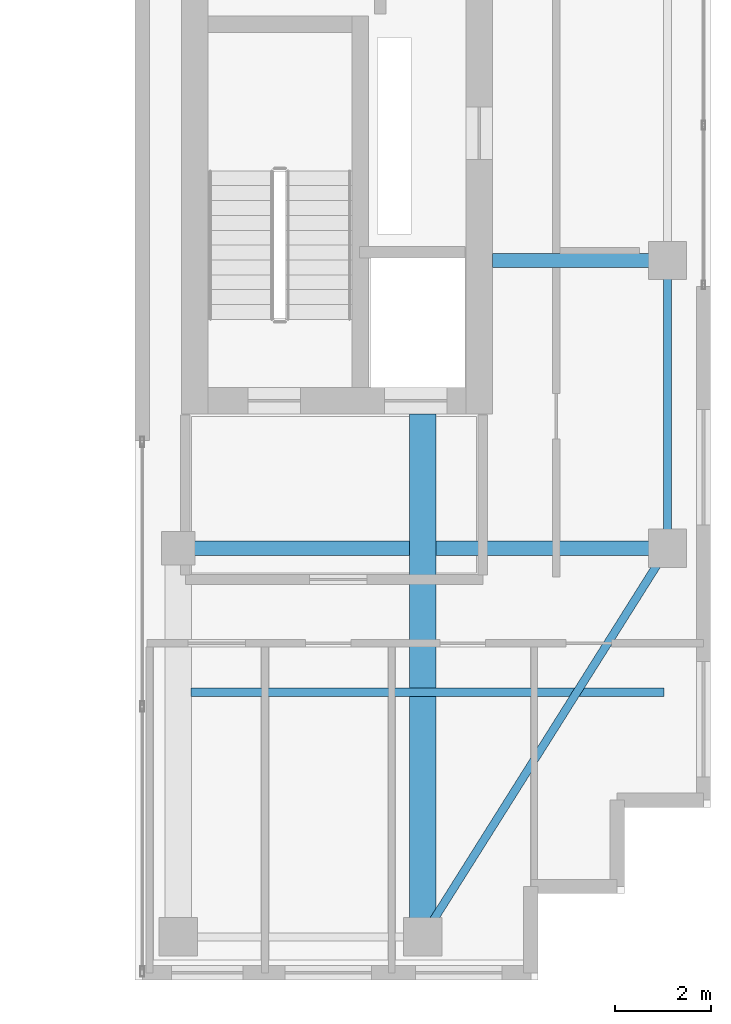
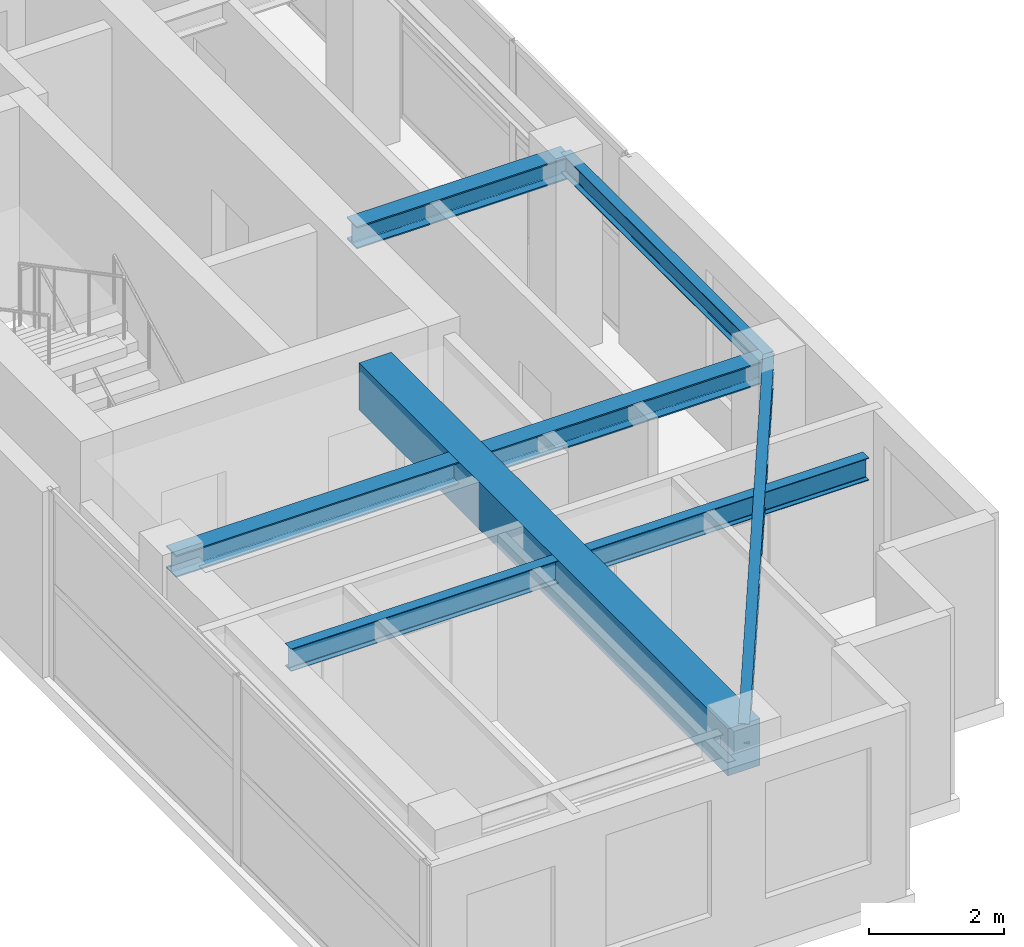
# One storey, part 11 of 23: 6 beams.
"""IFC4 building model written with IfcOpenShell, lengths in metres."""

import ifcopenshell
import ifcopenshell.guid

model = None  # the IFC model being written
_history = None  # IfcOwnerHistory: only IFC2X3 demands one
_inside = {}  # id of a spatial element -> (the spatial element, [elements in it])
_under = {}  # id of a project, library or spatial element -> (it, [spatial elements below it])
_declared = {}  # id of a project -> (the project, [libraries it declares])
_typed = {}  # id of a type object -> (the type object, [elements of that type])
_made_of = {}  # id of a material, layer set ... -> (it, [elements and type objects made of it])


def new_model(schema):
    """Start an empty IFC model of exactly this schema.

    Asked for "IFC4X3", IfcOpenShell would pick the latest addendum, in which some entities
    have other attributes; the version numbers below select the first issue.
    IFC2X3 requires an IfcOwnerHistory on every rooted entity: one is made here for all.
    """
    global model, _history
    if schema == "IFC4X3":
        model = ifcopenshell.file(schema_version=(4, 3, 0, 0))
    else:
        model = ifcopenshell.file(schema=schema)
    _inside.clear()
    _under.clear()
    _declared.clear()
    _typed.clear()
    _made_of.clear()
    _history = None
    if model.schema == "IFC2X3":
        org = make("IfcOrganization", Name="unknown")
        user = make(
            "IfcPersonAndOrganization",
            ThePerson=make("IfcPerson", FamilyName="unknown"),
            TheOrganization=org,
        )
        app = make(
            "IfcApplication",
            ApplicationDeveloper=org,
            Version="unknown",
            ApplicationFullName="unknown",
            ApplicationIdentifier="unknown",
        )
        _history = make(
            "IfcOwnerHistory",
            OwningUser=user,
            OwningApplication=app,
            ChangeAction="ADDED",
            CreationDate=0,
        )
    return model


def make(cls, **values):
    """One entity of the class cls with the attributes given. An attribute that is None is left unset."""
    return model.create_entity(
        cls, **{name: value for name, value in values.items() if value is not None}
    )


def rooted(cls, **values):
    """An entity with a GlobalId (a new one), such as an element, a storey or a relation."""
    return make(cls, GlobalId=ifcopenshell.guid.new(), OwnerHistory=_history, **values)


def si_unit(unit_type, name, prefix=None):
    """IfcSIUnit, for example si_unit("LENGTHUNIT", "METRE", prefix="MILLI")."""
    return make("IfcSIUnit", UnitType=unit_type, Prefix=prefix, Name=name)


def assignment(units):
    """IfcUnitAssignment: the units of a project."""
    return None if units is None else make("IfcUnitAssignment", Units=units)


def point(xyz):
    """IfcCartesianPoint."""
    return None if xyz is None else make("IfcCartesianPoint", Coordinates=xyz)


def direction(xyz):
    """IfcDirection."""
    return None if xyz is None else make("IfcDirection", DirectionRatios=xyz)


def frame(location, z_axis=None, x_axis=None):
    """IfcAxis2Placement3D, a coordinate frame: its origin and axes. An axis left out is left unset."""
    return make(
        "IfcAxis2Placement3D",
        Location=point(location),
        Axis=direction(z_axis),
        RefDirection=direction(x_axis),
    )


def frame_2d(location, x_axis=None):
    """IfcAxis2Placement2D, a coordinate frame in the plane: its origin and x axis."""
    return make(
        "IfcAxis2Placement2D", Location=point(location), RefDirection=direction(x_axis)
    )


def origin():
    """The frame at (0, 0, 0) with its axes left unset."""
    return frame((0.0, 0.0, 0.0))


def origin_2d():
    """The frame at (0, 0) in the plane with its x axis left unset."""
    return frame_2d((0.0, 0.0))


def place(relative_to, where):
    """IfcLocalPlacement: puts the frame where relative to a parent placement (None: the world)."""
    return make(
        "IfcLocalPlacement", PlacementRelTo=relative_to, RelativePlacement=where
    )


def context(
    kind, dimensions, precision=None, world=None, true_north=None, identifier=None
):
    """IfcGeometricRepresentationContext, for example the 3D "Model" context."""
    return make(
        "IfcGeometricRepresentationContext",
        ContextIdentifier=identifier,
        ContextType=kind,
        CoordinateSpaceDimension=dimensions,
        Precision=precision,
        WorldCoordinateSystem=world,
        TrueNorth=true_north,
    )


def subcontext(parent, identifier, kind, view, scale=None):
    """IfcGeometricRepresentationSubContext, for example "Body" below "Model"."""
    return make(
        "IfcGeometricRepresentationSubContext",
        ContextIdentifier=identifier,
        ContextType=kind,
        ParentContext=parent,
        TargetScale=scale,
        TargetView=view,
    )


def project(units=None, contexts=None):
    """IfcProject with its units and contexts."""
    return rooted(
        "IfcProject",
        Name="project",
        RepresentationContexts=contexts,
        UnitsInContext=assignment(units),
    )


def spatial(cls, under=None, at=None, **own):
    """A site, building, storey or space (cls), placed at a placement, below another one or the project."""
    s = rooted(cls, ObjectPlacement=at, **own)
    if under is not None:
        _under.setdefault(under.id(), (under, []))[1].append(s)
    return s


def profile(cls, at=None, kind="AREA", **sizes):
    """A parametric profile (cls). Its sizes go by their IFC names, for example OverallWidth=200.0."""
    return make(cls, ProfileType=kind, Position=at, **sizes)


def rectangle(**sizes):
    """IfcRectangleProfileDef."""
    return profile("IfcRectangleProfileDef", **sizes)


def i_section(**sizes):
    """IfcIShapeProfileDef."""
    return profile("IfcIShapeProfileDef", **sizes)


def extrude(swept, where, along, depth):
    """IfcExtrudedAreaSolid: the profile swept, set in the frame where, extruded along a direction by depth."""
    return make(
        "IfcExtrudedAreaSolid",
        SweptArea=swept,
        Position=where,
        ExtrudedDirection=direction(along),
        Depth=depth,
    )


def shape(context_of_items, identifier, shape_type, items):
    """IfcShapeRepresentation: the items that make up one representation, for example the "Body"."""
    return make(
        "IfcShapeRepresentation",
        ContextOfItems=context_of_items,
        RepresentationIdentifier=identifier,
        RepresentationType=shape_type,
        Items=items,
    )


def source(mapping_origin, context_of_items, identifier, shape_type, items):
    """IfcRepresentationMap: a shape defined once, which mapped items show again and again."""
    return make(
        "IfcRepresentationMap",
        MappingOrigin=mapping_origin,
        MappedRepresentation=shape(context_of_items, identifier, shape_type, items),
    )


def transform(
    local_origin,
    x_axis=None,
    y_axis=None,
    z_axis=None,
    scale=None,
    scale2=None,
    scale3=None,
    uniform=True,
):
    """IfcCartesianTransformationOperator3D, or its non-uniform kind. x_axis, y_axis, z_axis: its Axis1, 2, 3."""
    if uniform:
        return make(
            "IfcCartesianTransformationOperator3D",
            Axis1=direction(x_axis),
            Axis2=direction(y_axis),
            LocalOrigin=point(local_origin),
            Scale=scale,
            Axis3=direction(z_axis),
        )
    return make(
        "IfcCartesianTransformationOperator3DnonUniform",
        Axis1=direction(x_axis),
        Axis2=direction(y_axis),
        LocalOrigin=point(local_origin),
        Scale=scale,
        Axis3=direction(z_axis),
        Scale2=scale2,
        Scale3=scale3,
    )


def mapped(mapping_source, mapping_target):
    """IfcMappedItem: shows the shape of a source again, moved by a transform."""
    return make(
        "IfcMappedItem", MappingSource=mapping_source, MappingTarget=mapping_target
    )


def material(Name=None, Category=None):
    """IfcMaterial."""
    return make("IfcMaterial", Name=Name, Category=Category)


def material_profile(
    of_material, cross_section, Name=None, Category=None, Priority=None
):
    """IfcMaterialProfile: a cross section and its material."""
    return make(
        "IfcMaterialProfile",
        Name=Name,
        Material=of_material,
        Profile=cross_section,
        Priority=Priority,
        Category=Category,
    )


def profile_set(profiles, Name=None, composite=None):
    """IfcMaterialProfileSet."""
    return make(
        "IfcMaterialProfileSet",
        Name=Name,
        MaterialProfiles=profiles,
        CompositeProfile=composite,
    )


def made_of(thing, what):
    """Note that an element or type object is made of a material, layer set ...; save() writes the relation."""
    if what is not None:
        _made_of.setdefault(what.id(), (what, []))[1].append(thing)
    return thing


def type_object(cls, material=None, **own):
    """A type object (cls), such as IfcWallType, which elements share."""
    return made_of(rooted(cls, **own), material)


def element(
    cls,
    number,
    at=None,
    inside=None,
    cuts=None,
    type_object=None,
    material=None,
    context=None,
    identifier="Body",
    shape_type=None,
    held_by="IfcProductDefinitionShape",
    body=None,
    shapes=None,
    **own,
):
    """One element of the class cls, such as IfcWall. Its Tag is "e" and its number.

    at: its placement. inside: the storey or other place that contains it. cuts: it is an
    opening in that element (IfcRelVoidsElement). A single representation is given by context,
    identifier, shape_type and body (its items); several are given by shapes. held_by: the class
    of the entity that holds the representations. save() writes the other relations.
    """
    e = rooted(cls, Tag="e%d" % number, ObjectPlacement=at, **own)
    if body is not None:
        shapes = [shape(context, identifier, shape_type, body)]
    if shapes is not None:
        e.Representation = make(held_by, Representations=shapes)
    if inside is not None:
        _inside.setdefault(inside.id(), (inside, []))[1].append(e)
    if cuts is not None:
        rooted(
            "IfcRelVoidsElement", RelatingBuildingElement=cuts, RelatedOpeningElement=e
        )
    if type_object is not None:
        _typed.setdefault(type_object.id(), (type_object, []))[1].append(e)
    return made_of(e, material)


def aggregate(whole, parts):
    """IfcRelAggregates: a whole, such as a stair, and the parts it consists of."""
    return rooted("IfcRelAggregates", RelatingObject=whole, RelatedObjects=parts)


def save(model, path):
    """Write the relations noted so far, then the file.

    IfcRelAggregates (storeys below a building ...), IfcRelContainedInSpatialStructure (elements
    in a storey), IfcRelDefinesByType, IfcRelAssociatesMaterial and IfcRelDeclares: one each for
    every whole, place, type object, material and project.
    """
    for whole, parts in _under.values():
        aggregate(whole, parts)
    for where, things in _inside.values():
        rooted(
            "IfcRelContainedInSpatialStructure",
            RelatedElements=things,
            RelatingStructure=where,
        )
    for kind, things in _typed.values():
        rooted("IfcRelDefinesByType", RelatedObjects=things, RelatingType=kind)
    for what, things in _made_of.values():
        rooted("IfcRelAssociatesMaterial", RelatedObjects=things, RelatingMaterial=what)
    for by, libraries in _declared.values():
        rooted("IfcRelDeclares", RelatingContext=by, RelatedDefinitions=libraries)
    model.write(path)


model = new_model("IFC4")

# Units and contexts
model_context = context("Model", 3, precision=1e-05, world=origin(), true_north=direction((0.0, 1.0)))
body_context = subcontext(model_context, "Body", "Model", "MODEL_VIEW")
ifc_project = project(units=[si_unit("LENGTHUNIT", "METRE"), si_unit("AREAUNIT", "SQUARE_METRE"), si_unit("VOLUMEUNIT", "CUBIC_METRE"), si_unit("PLANEANGLEUNIT", "RADIAN"), si_unit("MASSUNIT", "GRAM", prefix="KILO")], contexts=[model_context])

# Site, building, storey
site_placement = place(None, origin())
site = spatial("IfcSite", under=ifc_project, at=site_placement, CompositionType="ELEMENT")
building_placement = place(site_placement, origin())
building = spatial("IfcBuilding", under=site, at=building_placement, Name="Khoralis Quay Care Tower", CompositionType="ELEMENT")
storey_placement = place(building_placement, frame((0.0, 0.0, 252.89990234375)))
storey = spatial("IfcBuildingStorey", under=building, at=storey_placement, Name="L66", CompositionType="ELEMENT", Elevation=252.89990234375)

# Beams
ifc_material_1 = material(Name="Steel S355", Category="steel")
ifc_material_profile_1 = material_profile(ifc_material_1, i_section(OverallWidth=0.169921875, OverallDepth=0.360107421875, WebThickness=0.008056640625, FlangeThickness=0.0126953125, FilletRadius=0.01806640625, at=origin_2d()), Name="Steel S355")
ifc_profile_set_1 = profile_set([ifc_material_profile_1], Name="Steel S355")
beam_type_1 = type_object("IfcBeamType", Name="BM-IPE360", PredefinedType="SPANDREL", material=ifc_profile_set_1)
shared_shape_1 = source(origin(), body_context, "Body", "SweptSolid", [
    extrude(i_section(OverallWidth=0.169921875, OverallDepth=0.360107421875, WebThickness=0.008056640625, FlangeThickness=0.0126953125, FilletRadius=0.01806640625, at=origin_2d()), origin(), (0.0, 0.0, 1.0), 6.0),
])
beam_1_placement = place(storey_placement, frame((41.10009765625, 12.0, 3.18017578125), z_axis=(0.0, 1.0, 0.0), x_axis=(-1.0, 0.0, 0.0)))
element("IfcBeam", 1, at=beam_1_placement, inside=storey, type_object=beam_type_1, Name="BM-TSP-L66-09", PredefinedType="SPANDREL", context=body_context, shape_type="MappedRepresentation", body=[
    mapped(shared_shape_1, transform((0.0, 0.0, 0.0), scale=1.0)),
])
shared_shape_2 = source(origin(), body_context, "Body", "SweptSolid", [
    extrude(i_section(OverallWidth=0.169921875, OverallDepth=0.360107421875, WebThickness=0.008056640625, FlangeThickness=0.0126953125, FilletRadius=0.01806640625, at=origin_2d()), origin(), (0.0, 0.0, 1.0), 9.572021484375),
])
beam_2_placement = place(storey_placement, frame((36.0, 3.89990234375, 3.18017578125), z_axis=(0.532815975602, 0.846231136359, 0.0), x_axis=(-0.846231136359, 0.532815975602, 0.0)))
element("IfcBeam", 2, at=beam_2_placement, inside=storey, type_object=beam_type_1, Name="BM-TCR-L66-14", PredefinedType="SPANDREL", context=body_context, shape_type="MappedRepresentation", body=[
    mapped(shared_shape_2, transform((0.0, 0.0, 0.0), scale=1.0)),
])
ifc_material_profile_2 = material_profile(ifc_material_1, i_section(OverallWidth=0.300048828125, OverallDepth=0.39990234375, WebThickness=0.013427734375, FlangeThickness=0.02392578125, FilletRadius=0.027099609375, at=origin_2d()), Name="Steel S355")
ifc_profile_set_2 = profile_set([ifc_material_profile_2], Name="Steel S355")
beam_type_2 = type_object("IfcBeamType", Name="BM-HEB400", PredefinedType="BEAM", material=ifc_profile_set_2)
shared_shape_3 = source(origin(), body_context, "Body", "SweptSolid", [
    extrude(i_section(OverallWidth=0.300048828125, OverallDepth=0.39990234375, WebThickness=0.013427734375, FlangeThickness=0.02392578125, FilletRadius=0.027099609375, at=origin_2d()), origin(), (0.0, 0.0, 1.0), 10.2001953125),
])
beam_3_placement = place(storey_placement, frame((30.89990234375, 12.0, 3.16015625), z_axis=(1.0, 0.0, 0.0), x_axis=(0.0, 1.0, 0.0)))
element("IfcBeam", 3, at=beam_3_placement, inside=storey, type_object=beam_type_2, Name="BM-TGXE-L66-120", PredefinedType="BEAM", context=body_context, shape_type="MappedRepresentation", body=[
    mapped(shared_shape_3, transform((0.0, 0.0, 0.0), scale=1.0)),
])
shared_shape_4 = source(origin(), body_context, "Body", "SweptSolid", [
    extrude(i_section(OverallWidth=0.300048828125, OverallDepth=0.39990234375, WebThickness=0.013427734375, FlangeThickness=0.02392578125, FilletRadius=0.027099609375, at=origin_2d()), origin(), (0.0, 0.0, 1.0), 3.652099609375),
])
beam_4_placement = place(storey_placement, frame((37.447998046875, 18.0, 3.16015625), z_axis=(1.0, 0.0, 0.0), x_axis=(0.0, 1.0, 0.0)))
element("IfcBeam", 4, at=beam_4_placement, inside=storey, type_object=beam_type_2, Name="BM-TGXE-L66-180", PredefinedType="BEAM", context=body_context, shape_type="MappedRepresentation", body=[
    mapped(shared_shape_4, transform((0.0, 0.0, 0.0), scale=1.0)),
])
ifc_material_2 = material(Name="Concrete C50/60", Category="concrete")
ifc_material_profile_3 = material_profile(ifc_material_2, rectangle(XDim=0.550048828125, YDim=0.85009765625, at=origin_2d()), Name="Concrete C50/60")
ifc_profile_set_3 = profile_set([ifc_material_profile_3], Name="Concrete C50/60")
beam_type_3 = type_object("IfcBeamType", Name="BM-RC550X850", PredefinedType="BEAM", material=ifc_profile_set_3)
shared_shape_5 = source(origin(), body_context, "Body", "SweptSolid", [
    extrude(rectangle(XDim=0.550048828125, YDim=0.85009765625, at=origin_2d()), origin(), (0.0, 0.0, 1.0), 10.902099609375),
])
beam_5_placement = place(storey_placement, frame((36.0, 3.89990234375, 2.93505859375), z_axis=(0.0, 1.0, 0.0), x_axis=(-1.0, 0.0, 0.0)))
element("IfcBeam", 5, at=beam_5_placement, inside=storey, type_object=beam_type_3, Name="BM-TGYS-L66-360", PredefinedType="BEAM", context=body_context, shape_type="MappedRepresentation", body=[
    mapped(shared_shape_5, transform((0.0, 0.0, 0.0), scale=1.0)),
])
ifc_material_profile_4 = material_profile(ifc_material_1, i_section(OverallWidth=0.177978515625, OverallDepth=0.406982421875, WebThickness=0.0078125, FlangeThickness=0.0126953125, FilletRadius=0.012939453125, at=origin_2d()), Name="Steel S355")
ifc_profile_set_4 = profile_set([ifc_material_profile_4], Name="Steel S355")
beam_type_4 = type_object("IfcBeamType", Name="BM-W410X60", PredefinedType="JOIST", material=ifc_profile_set_4)
shared_shape_6 = source(origin(), body_context, "Body", "SweptSolid", [
    extrude(i_section(OverallWidth=0.177978515625, OverallDepth=0.406982421875, WebThickness=0.0078125, FlangeThickness=0.0126953125, FilletRadius=0.012939453125, at=origin_2d()), origin(), (0.0, 0.0, 1.0), 9.865966796875),
])
beam_6_placement = place(storey_placement, frame((31.1630859375, 9.0, 3.156494140625), z_axis=(1.0, 0.0, 0.0), x_axis=(0.0, 1.0, 0.0)))
element("IfcBeam", 6, at=beam_6_placement, inside=storey, type_object=beam_type_4, Name="BM-TJS-L66-18", PredefinedType="JOIST", context=body_context, shape_type="MappedRepresentation", body=[
    mapped(shared_shape_6, transform((0.0, 0.0, 0.0), scale=1.0)),
])

save(model, "model.ifc")
